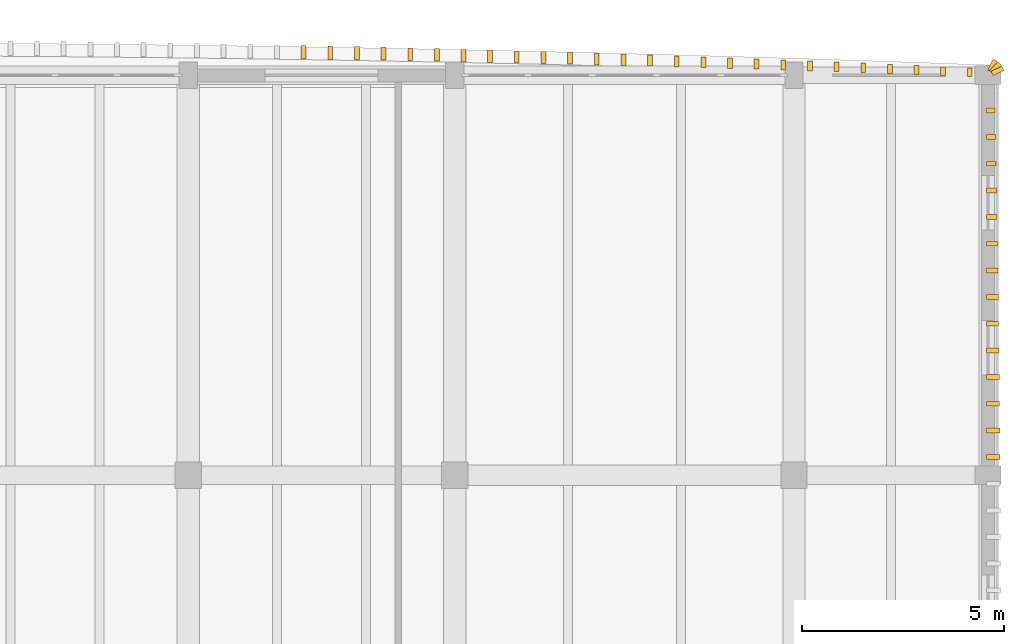
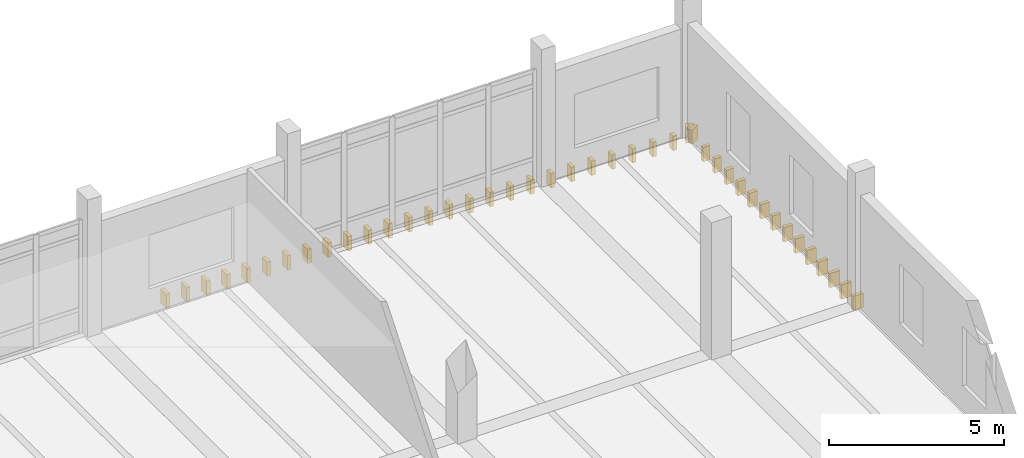
# One storey, part 76 of 76: 43 coverings.
"""IFC4 building model written with IfcOpenShell, lengths in metres."""

import ifcopenshell
import ifcopenshell.guid

model = None  # the IFC model being written
_history = None  # IfcOwnerHistory: only IFC2X3 demands one
_inside = {}  # id of a spatial element -> (the spatial element, [elements in it])
_under = {}  # id of a project, library or spatial element -> (it, [spatial elements below it])
_declared = {}  # id of a project -> (the project, [libraries it declares])
_typed = {}  # id of a type object -> (the type object, [elements of that type])
_made_of = {}  # id of a material, layer set ... -> (it, [elements and type objects made of it])


def new_model(schema):
    """Start an empty IFC model of exactly this schema.

    Asked for "IFC4X3", IfcOpenShell would pick the latest addendum, in which some entities
    have other attributes; the version numbers below select the first issue.
    IFC2X3 requires an IfcOwnerHistory on every rooted entity: one is made here for all.
    """
    global model, _history
    if schema == "IFC4X3":
        model = ifcopenshell.file(schema_version=(4, 3, 0, 0))
    else:
        model = ifcopenshell.file(schema=schema)
    _inside.clear()
    _under.clear()
    _declared.clear()
    _typed.clear()
    _made_of.clear()
    _history = None
    if model.schema == "IFC2X3":
        org = make("IfcOrganization", Name="unknown")
        user = make(
            "IfcPersonAndOrganization",
            ThePerson=make("IfcPerson", FamilyName="unknown"),
            TheOrganization=org,
        )
        app = make(
            "IfcApplication",
            ApplicationDeveloper=org,
            Version="unknown",
            ApplicationFullName="unknown",
            ApplicationIdentifier="unknown",
        )
        _history = make(
            "IfcOwnerHistory",
            OwningUser=user,
            OwningApplication=app,
            ChangeAction="ADDED",
            CreationDate=0,
        )
    return model


def make(cls, **values):
    """One entity of the class cls with the attributes given. An attribute that is None is left unset."""
    return model.create_entity(
        cls, **{name: value for name, value in values.items() if value is not None}
    )


def rooted(cls, **values):
    """An entity with a GlobalId (a new one), such as an element, a storey or a relation."""
    return make(cls, GlobalId=ifcopenshell.guid.new(), OwnerHistory=_history, **values)


def si_unit(unit_type, name, prefix=None):
    """IfcSIUnit, for example si_unit("LENGTHUNIT", "METRE", prefix="MILLI")."""
    return make("IfcSIUnit", UnitType=unit_type, Prefix=prefix, Name=name)


def assignment(units):
    """IfcUnitAssignment: the units of a project."""
    return None if units is None else make("IfcUnitAssignment", Units=units)


def point(xyz):
    """IfcCartesianPoint."""
    return None if xyz is None else make("IfcCartesianPoint", Coordinates=xyz)


def direction(xyz):
    """IfcDirection."""
    return None if xyz is None else make("IfcDirection", DirectionRatios=xyz)


def frame(location, z_axis=None, x_axis=None):
    """IfcAxis2Placement3D, a coordinate frame: its origin and axes. An axis left out is left unset."""
    return make(
        "IfcAxis2Placement3D",
        Location=point(location),
        Axis=direction(z_axis),
        RefDirection=direction(x_axis),
    )


def frame_2d(location, x_axis=None):
    """IfcAxis2Placement2D, a coordinate frame in the plane: its origin and x axis."""
    return make(
        "IfcAxis2Placement2D", Location=point(location), RefDirection=direction(x_axis)
    )


def origin():
    """The frame at (0, 0, 0) with its axes left unset."""
    return frame((0.0, 0.0, 0.0))


def origin_2d():
    """The frame at (0, 0) in the plane with its x axis left unset."""
    return frame_2d((0.0, 0.0))


def place(relative_to, where):
    """IfcLocalPlacement: puts the frame where relative to a parent placement (None: the world)."""
    return make(
        "IfcLocalPlacement", PlacementRelTo=relative_to, RelativePlacement=where
    )


def context(
    kind, dimensions, precision=None, world=None, true_north=None, identifier=None
):
    """IfcGeometricRepresentationContext, for example the 3D "Model" context."""
    return make(
        "IfcGeometricRepresentationContext",
        ContextIdentifier=identifier,
        ContextType=kind,
        CoordinateSpaceDimension=dimensions,
        Precision=precision,
        WorldCoordinateSystem=world,
        TrueNorth=true_north,
    )


def subcontext(parent, identifier, kind, view, scale=None):
    """IfcGeometricRepresentationSubContext, for example "Body" below "Model"."""
    return make(
        "IfcGeometricRepresentationSubContext",
        ContextIdentifier=identifier,
        ContextType=kind,
        ParentContext=parent,
        TargetScale=scale,
        TargetView=view,
    )


def project(units=None, contexts=None):
    """IfcProject with its units and contexts."""
    return rooted(
        "IfcProject",
        Name="project",
        RepresentationContexts=contexts,
        UnitsInContext=assignment(units),
    )


def spatial(cls, under=None, at=None, **own):
    """A site, building, storey or space (cls), placed at a placement, below another one or the project."""
    s = rooted(cls, ObjectPlacement=at, **own)
    if under is not None:
        _under.setdefault(under.id(), (under, []))[1].append(s)
    return s


def profile(cls, at=None, kind="AREA", **sizes):
    """A parametric profile (cls). Its sizes go by their IFC names, for example OverallWidth=200.0."""
    return make(cls, ProfileType=kind, Position=at, **sizes)


def rectangle(**sizes):
    """IfcRectangleProfileDef."""
    return profile("IfcRectangleProfileDef", **sizes)


def extrude(swept, where, along, depth):
    """IfcExtrudedAreaSolid: the profile swept, set in the frame where, extruded along a direction by depth."""
    return make(
        "IfcExtrudedAreaSolid",
        SweptArea=swept,
        Position=where,
        ExtrudedDirection=direction(along),
        Depth=depth,
    )


def shape(context_of_items, identifier, shape_type, items):
    """IfcShapeRepresentation: the items that make up one representation, for example the "Body"."""
    return make(
        "IfcShapeRepresentation",
        ContextOfItems=context_of_items,
        RepresentationIdentifier=identifier,
        RepresentationType=shape_type,
        Items=items,
    )


def material(Name=None, Category=None):
    """IfcMaterial."""
    return make("IfcMaterial", Name=Name, Category=Category)


def layer(
    of_material, thickness, ventilated=None, Name=None, Category=None, Priority=None
):
    """IfcMaterialLayer: one layer of a wall or slab, of a material (None: an air gap)."""
    return make(
        "IfcMaterialLayer",
        Material=of_material,
        LayerThickness=thickness,
        IsVentilated=ventilated,
        Name=Name,
        Category=Category,
        Priority=Priority,
    )


def layer_set(layers, Name=None):
    """IfcMaterialLayerSet."""
    return make("IfcMaterialLayerSet", MaterialLayers=layers, LayerSetName=Name)


def made_of(thing, what):
    """Note that an element or type object is made of a material, layer set ...; save() writes the relation."""
    if what is not None:
        _made_of.setdefault(what.id(), (what, []))[1].append(thing)
    return thing


def type_object(cls, material=None, **own):
    """A type object (cls), such as IfcWallType, which elements share."""
    return made_of(rooted(cls, **own), material)


def element(
    cls,
    number,
    at=None,
    inside=None,
    cuts=None,
    type_object=None,
    material=None,
    context=None,
    identifier="Body",
    shape_type=None,
    held_by="IfcProductDefinitionShape",
    body=None,
    shapes=None,
    **own,
):
    """One element of the class cls, such as IfcWall. Its Tag is "e" and its number.

    at: its placement. inside: the storey or other place that contains it. cuts: it is an
    opening in that element (IfcRelVoidsElement). A single representation is given by context,
    identifier, shape_type and body (its items); several are given by shapes. held_by: the class
    of the entity that holds the representations. save() writes the other relations.
    """
    e = rooted(cls, Tag="e%d" % number, ObjectPlacement=at, **own)
    if body is not None:
        shapes = [shape(context, identifier, shape_type, body)]
    if shapes is not None:
        e.Representation = make(held_by, Representations=shapes)
    if inside is not None:
        _inside.setdefault(inside.id(), (inside, []))[1].append(e)
    if cuts is not None:
        rooted(
            "IfcRelVoidsElement", RelatingBuildingElement=cuts, RelatedOpeningElement=e
        )
    if type_object is not None:
        _typed.setdefault(type_object.id(), (type_object, []))[1].append(e)
    return made_of(e, material)


def aggregate(whole, parts):
    """IfcRelAggregates: a whole, such as a stair, and the parts it consists of."""
    return rooted("IfcRelAggregates", RelatingObject=whole, RelatedObjects=parts)


def save(model, path):
    """Write the relations noted so far, then the file.

    IfcRelAggregates (storeys below a building ...), IfcRelContainedInSpatialStructure (elements
    in a storey), IfcRelDefinesByType, IfcRelAssociatesMaterial and IfcRelDeclares: one each for
    every whole, place, type object, material and project.
    """
    for whole, parts in _under.values():
        aggregate(whole, parts)
    for where, things in _inside.values():
        rooted(
            "IfcRelContainedInSpatialStructure",
            RelatedElements=things,
            RelatingStructure=where,
        )
    for kind, things in _typed.values():
        rooted("IfcRelDefinesByType", RelatedObjects=things, RelatingType=kind)
    for what, things in _made_of.values():
        rooted("IfcRelAssociatesMaterial", RelatedObjects=things, RelatingMaterial=what)
    for by, libraries in _declared.values():
        rooted("IfcRelDeclares", RelatingContext=by, RelatedDefinitions=libraries)
    model.write(path)


model = new_model("IFC4")

# Units and contexts
model_context = context("Model", 3, precision=1e-05, world=origin(), true_north=direction((0.0, 1.0)))
body_context = subcontext(model_context, "Body", "Model", "MODEL_VIEW")
ifc_project = project(units=[si_unit("LENGTHUNIT", "METRE"), si_unit("AREAUNIT", "SQUARE_METRE"), si_unit("VOLUMEUNIT", "CUBIC_METRE"), si_unit("PLANEANGLEUNIT", "RADIAN"), si_unit("MASSUNIT", "GRAM", prefix="KILO")], contexts=[model_context])

# Site, building, storey
site_placement = place(None, origin())
site = spatial("IfcSite", under=ifc_project, at=site_placement, CompositionType="ELEMENT")
building_placement = place(site_placement, origin())
building = spatial("IfcBuilding", under=site, at=building_placement, Name="Dornvale Research Institute", CompositionType="ELEMENT")
storey_placement = place(building_placement, frame((0.0, 0.0, 15.0)))
storey = spatial("IfcBuildingStorey", under=building, at=storey_placement, Name="L03", CompositionType="ELEMENT", Elevation=15.0)

# Coverings
ifc_material = material(Name="Polychrome Glazed Terracotta Visor Rib Ceramic", Category="masonry")
ifc_layer = layer(ifc_material, 0.1201171875)
ifc_layer_set = layer_set([ifc_layer], Name="Polychrome Glazed Terracotta Visor Rib Ceramic")
covering_type = type_object("IfcCoveringType", Name="Covering_VisorBlade_Low", PredefinedType="CLADDING", material=ifc_layer_set)
covering_1_placement = place(storey_placement, frame((177.750244140625, 122.1787109375, -0.489990234375), z_axis=(0.0, 0.0, 1.0), x_axis=(0.0, 1.0, 0.0)))
element("IfcCovering", 1, at=covering_1_placement, inside=storey, type_object=covering_type, Name="L03 V4 canted glazed terracotta visor blade #2344", PredefinedType="CLADDING", context=body_context, shape_type="SweptSolid", body=[
    extrude(rectangle(XDim=0.205078125, YDim=0.1201171875, at=origin_2d()), origin(), (0.0, 0.0, 1.0), 0.5),
])
covering_2_placement = place(storey_placement, frame((177.0908203125, 122.205810546875, -0.489990234375), z_axis=(0.0, 0.0, 1.0), x_axis=(0.0, 1.0, 0.0)))
element("IfcCovering", 2, at=covering_2_placement, inside=storey, type_object=covering_type, Name="L03 V4 canted glazed terracotta visor blade #2345", PredefinedType="CLADDING", context=body_context, shape_type="SweptSolid", body=[
    extrude(rectangle(XDim=0.2119140625, YDim=0.1201171875, at=origin_2d()), origin(), (0.0, 0.0, 1.0), 0.5),
])
covering_3_placement = place(storey_placement, frame((176.43115234375, 122.232421875, -0.489990234375), z_axis=(0.0, 0.0, 1.0), x_axis=(0.0, 1.0, 0.0)))
element("IfcCovering", 3, at=covering_3_placement, inside=storey, type_object=covering_type, Name="L03 V4 canted glazed terracotta visor blade #2346", PredefinedType="CLADDING", context=body_context, shape_type="SweptSolid", body=[
    extrude(rectangle(XDim=0.218017578125, YDim=0.1201171875, at=origin_2d()), origin(), (0.0, 0.0, 1.0), 0.5),
])
covering_4_placement = place(storey_placement, frame((175.771484375, 122.25830078125, -0.489990234375), z_axis=(0.0, 0.0, 1.0), x_axis=(0.0, 1.0, 0.0)))
element("IfcCovering", 4, at=covering_4_placement, inside=storey, type_object=covering_type, Name="L03 V4 canted glazed terracotta visor blade #2347", PredefinedType="CLADDING", context=body_context, shape_type="SweptSolid", body=[
    extrude(rectangle(XDim=0.22509765625, YDim=0.1201171875, at=origin_2d()), origin(), (0.0, 0.0, 1.0), 0.5),
])
covering_5_placement = place(storey_placement, frame((175.11181640625, 122.2841796875, -0.489990234375), z_axis=(0.0, 0.0, 1.0), x_axis=(0.0, 1.0, 0.0)))
element("IfcCovering", 5, at=covering_5_placement, inside=storey, type_object=covering_type, Name="L03 V4 canted glazed terracotta visor blade #2348", PredefinedType="CLADDING", context=body_context, shape_type="SweptSolid", body=[
    extrude(rectangle(XDim=0.23193359375, YDim=0.1201171875, at=origin_2d()), origin(), (0.0, 0.0, 1.0), 0.5),
])
covering_6_placement = place(storey_placement, frame((174.4521484375, 122.30859375, -0.489990234375), z_axis=(0.0, 0.0, 1.0), x_axis=(0.0, 1.0, 0.0)))
element("IfcCovering", 6, at=covering_6_placement, inside=storey, type_object=covering_type, Name="L03 V4 canted glazed terracotta visor blade #2349", PredefinedType="CLADDING", context=body_context, shape_type="SweptSolid", body=[
    extrude(rectangle(XDim=0.238037109375, YDim=0.1201171875, at=origin_2d()), origin(), (0.0, 0.0, 1.0), 0.5),
])
covering_7_placement = place(storey_placement, frame((173.79248046875, 122.332763671875, -0.489990234375), z_axis=(0.0, 0.0, 1.0), x_axis=(0.0, 1.0, 0.0)))
element("IfcCovering", 7, at=covering_7_placement, inside=storey, type_object=covering_type, Name="L03 V4 canted glazed terracotta visor blade #2350", PredefinedType="CLADDING", context=body_context, shape_type="SweptSolid", body=[
    extrude(rectangle(XDim=0.243896484375, YDim=0.1201171875, at=origin_2d()), origin(), (0.0, 0.0, 1.0), 0.5),
])
covering_8_placement = place(storey_placement, frame((173.1328125, 122.356689453125, -0.489990234375), z_axis=(0.0, 0.0, 1.0), x_axis=(0.0, 1.0, 0.0)))
element("IfcCovering", 8, at=covering_8_placement, inside=storey, type_object=covering_type, Name="L03 V4 canted glazed terracotta visor blade #2351", PredefinedType="CLADDING", context=body_context, shape_type="SweptSolid", body=[
    extrude(rectangle(XDim=0.25, YDim=0.1201171875, at=origin_2d()), origin(), (0.0, 0.0, 1.0), 0.5),
])
covering_9_placement = place(storey_placement, frame((172.47314453125, 122.37939453125, -0.489990234375), z_axis=(0.0, 0.0, 1.0), x_axis=(0.0, 1.0, 0.0)))
element("IfcCovering", 9, at=covering_9_placement, inside=storey, type_object=covering_type, Name="L03 V4 canted glazed terracotta visor blade #2352", PredefinedType="CLADDING", context=body_context, shape_type="SweptSolid", body=[
    extrude(rectangle(XDim=0.256103515625, YDim=0.1201171875, at=origin_2d()), origin(), (0.0, 0.0, 1.0), 0.5),
])
covering_10_placement = place(storey_placement, frame((171.8134765625, 122.4013671875, -0.489990234375), z_axis=(0.0, 0.0, 1.0), x_axis=(0.0, 1.0, 0.0)))
element("IfcCovering", 10, at=covering_10_placement, inside=storey, type_object=covering_type, Name="L03 V4 canted glazed terracotta visor blade #2353", PredefinedType="CLADDING", context=body_context, shape_type="SweptSolid", body=[
    extrude(rectangle(XDim=0.260986328125, YDim=0.1201171875, at=origin_2d()), origin(), (0.0, 0.0, 1.0), 0.5),
])
covering_11_placement = place(storey_placement, frame((171.15380859375, 122.423095703125, -0.489990234375), z_axis=(0.0, 0.0, 1.0), x_axis=(0.0, 1.0, 0.0)))
element("IfcCovering", 11, at=covering_11_placement, inside=storey, type_object=covering_type, Name="L03 V4 canted glazed terracotta visor blade #2354", PredefinedType="CLADDING", context=body_context, shape_type="SweptSolid", body=[
    extrude(rectangle(XDim=0.26708984375, YDim=0.1201171875, at=origin_2d()), origin(), (0.0, 0.0, 1.0), 0.5),
])
covering_12_placement = place(storey_placement, frame((170.493896484375, 122.444091796875, -0.489990234375), z_axis=(0.0, 0.0, 1.0), x_axis=(0.0, 1.0, 0.0)))
element("IfcCovering", 12, at=covering_12_placement, inside=storey, type_object=covering_type, Name="L03 V4 canted glazed terracotta visor blade #2355", PredefinedType="CLADDING", context=body_context, shape_type="SweptSolid", body=[
    extrude(rectangle(XDim=0.27197265625, YDim=0.1201171875, at=origin_2d()), origin(), (0.0, 0.0, 1.0), 0.5),
])
covering_13_placement = place(storey_placement, frame((169.834228515625, 122.464599609375, -0.489990234375), z_axis=(0.0, 0.0, 1.0), x_axis=(0.0, 1.0, 0.0)))
element("IfcCovering", 13, at=covering_13_placement, inside=storey, type_object=covering_type, Name="L03 V4 canted glazed terracotta visor blade #2356", PredefinedType="CLADDING", context=body_context, shape_type="SweptSolid", body=[
    extrude(rectangle(XDim=0.277099609375, YDim=0.1201171875, at=origin_2d()), origin(), (0.0, 0.0, 1.0), 0.5),
])
covering_14_placement = place(storey_placement, frame((169.174560546875, 122.484130859375, -0.489990234375), z_axis=(0.0, 0.0, 1.0), x_axis=(0.0, 1.0, 0.0)))
element("IfcCovering", 14, at=covering_14_placement, inside=storey, type_object=covering_type, Name="L03 V4 canted glazed terracotta visor blade #2357", PredefinedType="CLADDING", context=body_context, shape_type="SweptSolid", body=[
    extrude(rectangle(XDim=0.281982421875, YDim=0.1201171875, at=origin_2d()), origin(), (0.0, 0.0, 1.0), 0.5),
])
covering_15_placement = place(storey_placement, frame((168.5146484375, 122.503662109375, -0.489990234375), z_axis=(0.0, 0.0, 1.0), x_axis=(0.0, 1.0, 0.0)))
element("IfcCovering", 15, at=covering_15_placement, inside=storey, type_object=covering_type, Name="L03 V4 canted glazed terracotta visor blade #2358", PredefinedType="CLADDING", context=body_context, shape_type="SweptSolid", body=[
    extrude(rectangle(XDim=0.287109375, YDim=0.1201171875, at=origin_2d()), origin(), (0.0, 0.0, 1.0), 0.5),
])
covering_16_placement = place(storey_placement, frame((167.85498046875, 122.522216796875, -0.489990234375), z_axis=(0.0, 0.0, 1.0), x_axis=(0.0, 1.0, 0.0)))
element("IfcCovering", 16, at=covering_16_placement, inside=storey, type_object=covering_type, Name="L03 V4 canted glazed terracotta visor blade #2359", PredefinedType="CLADDING", context=body_context, shape_type="SweptSolid", body=[
    extrude(rectangle(XDim=0.2919921875, YDim=0.1201171875, at=origin_2d()), origin(), (0.0, 0.0, 1.0), 0.5),
])
covering_17_placement = place(storey_placement, frame((167.195068359375, 122.540283203125, -0.489990234375), z_axis=(0.0, 0.0, 1.0), x_axis=(0.0, 1.0, 0.0)))
element("IfcCovering", 17, at=covering_17_placement, inside=storey, type_object=covering_type, Name="L03 V4 canted glazed terracotta visor blade #2360", PredefinedType="CLADDING", context=body_context, shape_type="SweptSolid", body=[
    extrude(rectangle(XDim=0.297119140625, YDim=0.1201171875, at=origin_2d()), origin(), (0.0, 0.0, 1.0), 0.5),
])
covering_18_placement = place(storey_placement, frame((166.535400390625, 122.5576171875, -0.489990234375), z_axis=(0.0, 0.0, 1.0), x_axis=(0.0, 1.0, 0.0)))
element("IfcCovering", 18, at=covering_18_placement, inside=storey, type_object=covering_type, Name="L03 V4 canted glazed terracotta visor blade #2361", PredefinedType="CLADDING", context=body_context, shape_type="SweptSolid", body=[
    extrude(rectangle(XDim=0.301025390625, YDim=0.1201171875, at=origin_2d()), origin(), (0.0, 0.0, 1.0), 0.5),
])
covering_19_placement = place(storey_placement, frame((165.87548828125, 122.57373046875, -0.489990234375), z_axis=(0.0, 0.0, 1.0), x_axis=(0.0, 1.0, 0.0)))
element("IfcCovering", 19, at=covering_19_placement, inside=storey, type_object=covering_type, Name="L03 V4 canted glazed terracotta visor blade #2362", PredefinedType="CLADDING", context=body_context, shape_type="SweptSolid", body=[
    extrude(rectangle(XDim=0.304931640625, YDim=0.1201171875, at=origin_2d()), origin(), (0.0, 0.0, 1.0), 0.5),
])
covering_20_placement = place(storey_placement, frame((165.215576171875, 122.590087890625, -0.489990234375), z_axis=(0.0, 0.0, 1.0), x_axis=(0.0, 1.0, 0.0)))
element("IfcCovering", 20, at=covering_20_placement, inside=storey, type_object=covering_type, Name="L03 V4 canted glazed terracotta visor blade #2363", PredefinedType="CLADDING", context=body_context, shape_type="SweptSolid", body=[
    extrude(rectangle(XDim=0.30908203125, YDim=0.1201171875, at=origin_2d()), origin(), (0.0, 0.0, 1.0), 0.5),
])
covering_21_placement = place(storey_placement, frame((164.5556640625, 122.60546875, -0.489990234375), z_axis=(0.0, 0.0, 1.0), x_axis=(0.0, 1.0, 0.0)))
element("IfcCovering", 21, at=covering_21_placement, inside=storey, type_object=covering_type, Name="L03 V4 canted glazed terracotta visor blade #2364", PredefinedType="CLADDING", context=body_context, shape_type="SweptSolid", body=[
    extrude(rectangle(XDim=0.31298828125, YDim=0.1201171875, at=origin_2d()), origin(), (0.0, 0.0, 1.0), 0.5),
])
covering_22_placement = place(storey_placement, frame((163.895751953125, 122.620361328125, -0.489990234375), z_axis=(0.0, 0.0, 1.0), x_axis=(0.0, 1.0, 0.0)))
element("IfcCovering", 22, at=covering_22_placement, inside=storey, type_object=covering_type, Name="L03 V4 canted glazed terracotta visor blade #2365", PredefinedType="CLADDING", context=body_context, shape_type="SweptSolid", body=[
    extrude(rectangle(XDim=0.31689453125, YDim=0.1201171875, at=origin_2d()), origin(), (0.0, 0.0, 1.0), 0.5),
])
covering_23_placement = place(storey_placement, frame((163.236083984375, 122.635009765625, -0.489990234375), z_axis=(0.0, 0.0, 1.0), x_axis=(0.0, 1.0, 0.0)))
element("IfcCovering", 23, at=covering_23_placement, inside=storey, type_object=covering_type, Name="L03 V4 canted glazed terracotta visor blade #2366", PredefinedType="CLADDING", context=body_context, shape_type="SweptSolid", body=[
    extrude(rectangle(XDim=0.321044921875, YDim=0.1201171875, at=origin_2d()), origin(), (0.0, 0.0, 1.0), 0.5),
])
covering_24_placement = place(storey_placement, frame((162.576171875, 122.648193359375, -0.489990234375), z_axis=(0.0, 0.0, 1.0), x_axis=(0.0, 1.0, 0.0)))
element("IfcCovering", 24, at=covering_24_placement, inside=storey, type_object=covering_type, Name="L03 V4 canted glazed terracotta visor blade #2367", PredefinedType="CLADDING", context=body_context, shape_type="SweptSolid", body=[
    extrude(rectangle(XDim=0.323974609375, YDim=0.1201171875, at=origin_2d()), origin(), (0.0, 0.0, 1.0), 0.5),
])
covering_25_placement = place(storey_placement, frame((161.916259765625, 122.6611328125, -0.489990234375), z_axis=(0.0, 0.0, 1.0), x_axis=(0.0, 1.0, 0.0)))
element("IfcCovering", 25, at=covering_25_placement, inside=storey, type_object=covering_type, Name="L03 V4 canted glazed terracotta visor blade #2368", PredefinedType="CLADDING", context=body_context, shape_type="SweptSolid", body=[
    extrude(rectangle(XDim=0.326904296875, YDim=0.1201171875, at=origin_2d()), origin(), (0.0, 0.0, 1.0), 0.5),
])
covering_26_placement = place(storey_placement, frame((161.256103515625, 122.673095703125, -0.489990234375), z_axis=(0.0, 0.0, 1.0), x_axis=(0.0, 1.0, 0.0)))
element("IfcCovering", 26, at=covering_26_placement, inside=storey, type_object=covering_type, Name="L03 V4 canted glazed terracotta visor blade #2369", PredefinedType="CLADDING", context=body_context, shape_type="SweptSolid", body=[
    extrude(rectangle(XDim=0.330078125, YDim=0.1201171875, at=origin_2d()), origin(), (0.0, 0.0, 1.0), 0.5),
])
covering_27_placement = place(storey_placement, frame((178.32958984375, 112.64990234375, -0.489990234375), z_axis=(0.0, 0.0, 1.0), x_axis=(1.0, 0.0, 0.0)))
element("IfcCovering", 27, at=covering_27_placement, inside=storey, type_object=covering_type, Name="L03 V4 canted glazed terracotta visor blade #2463", PredefinedType="CLADDING", context=body_context, shape_type="SweptSolid", body=[
    extrude(rectangle(XDim=0.339111328125, YDim=0.1201171875, at=origin_2d()), origin(), (0.0, 0.0, 1.0), 0.5),
])
covering_28_placement = place(storey_placement, frame((178.326416015625, 113.31005859375, -0.489990234375), z_axis=(0.0, 0.0, 1.0), x_axis=(1.0, 0.0, 0.0)))
element("IfcCovering", 28, at=covering_28_placement, inside=storey, type_object=covering_type, Name="L03 V4 canted glazed terracotta visor blade #2464", PredefinedType="CLADDING", context=body_context, shape_type="SweptSolid", body=[
    extrude(rectangle(XDim=0.3330078125, YDim=0.1201171875, at=origin_2d()), origin(), (0.0, 0.0, 1.0), 0.5),
])
covering_29_placement = place(storey_placement, frame((178.323486328125, 113.969970703125, -0.489990234375), z_axis=(0.0, 0.0, 1.0), x_axis=(1.0, 0.0, 0.0)))
element("IfcCovering", 29, at=covering_29_placement, inside=storey, type_object=covering_type, Name="L03 V4 canted glazed terracotta visor blade #2465", PredefinedType="CLADDING", context=body_context, shape_type="SweptSolid", body=[
    extrude(rectangle(XDim=0.326904296875, YDim=0.1201171875, at=origin_2d()), origin(), (0.0, 0.0, 1.0), 0.5),
])
covering_30_placement = place(storey_placement, frame((178.320068359375, 114.6298828125, -0.489990234375), z_axis=(0.0, 0.0, 1.0), x_axis=(1.0, 0.0, 0.0)))
element("IfcCovering", 30, at=covering_30_placement, inside=storey, type_object=covering_type, Name="L03 V4 canted glazed terracotta visor blade #2466", PredefinedType="CLADDING", context=body_context, shape_type="SweptSolid", body=[
    extrude(rectangle(XDim=0.320068359375, YDim=0.1201171875, at=origin_2d()), origin(), (0.0, 0.0, 1.0), 0.5),
])
covering_31_placement = place(storey_placement, frame((178.31640625, 115.2900390625, -0.489990234375), z_axis=(0.0, 0.0, 1.0), x_axis=(1.0, 0.0, 0.0)))
element("IfcCovering", 31, at=covering_31_placement, inside=storey, type_object=covering_type, Name="L03 V4 canted glazed terracotta visor blade #2467", PredefinedType="CLADDING", context=body_context, shape_type="SweptSolid", body=[
    extrude(rectangle(XDim=0.31298828125, YDim=0.1201171875, at=origin_2d()), origin(), (0.0, 0.0, 1.0), 0.5),
])
covering_32_placement = place(storey_placement, frame((178.3125, 115.949951171875, -0.489990234375), z_axis=(0.0, 0.0, 1.0), x_axis=(1.0, 0.0, 0.0)))
element("IfcCovering", 32, at=covering_32_placement, inside=storey, type_object=covering_type, Name="L03 V4 canted glazed terracotta visor blade #2468", PredefinedType="CLADDING", context=body_context, shape_type="SweptSolid", body=[
    extrude(rectangle(XDim=0.304931640625, YDim=0.1201171875, at=origin_2d()), origin(), (0.0, 0.0, 1.0), 0.5),
])
covering_33_placement = place(storey_placement, frame((178.30810546875, 116.610107421875, -0.489990234375), z_axis=(0.0, 0.0, 1.0), x_axis=(1.0, 0.0, 0.0)))
element("IfcCovering", 33, at=covering_33_placement, inside=storey, type_object=covering_type, Name="L03 V4 canted glazed terracotta visor blade #2469", PredefinedType="CLADDING", context=body_context, shape_type="SweptSolid", body=[
    extrude(rectangle(XDim=0.2958984375, YDim=0.1201171875, at=origin_2d()), origin(), (0.0, 0.0, 1.0), 0.5),
])
covering_34_placement = place(storey_placement, frame((178.303466796875, 117.27001953125, -0.489990234375), z_axis=(0.0, 0.0, 1.0), x_axis=(1.0, 0.0, 0.0)))
element("IfcCovering", 34, at=covering_34_placement, inside=storey, type_object=covering_type, Name="L03 V4 canted glazed terracotta visor blade #2470", PredefinedType="CLADDING", context=body_context, shape_type="SweptSolid", body=[
    extrude(rectangle(XDim=0.287109375, YDim=0.1201171875, at=origin_2d()), origin(), (0.0, 0.0, 1.0), 0.5),
])
covering_35_placement = place(storey_placement, frame((178.298583984375, 117.929931640625, -0.489990234375), z_axis=(0.0, 0.0, 1.0), x_axis=(1.0, 0.0, 0.0)))
element("IfcCovering", 35, at=covering_35_placement, inside=storey, type_object=covering_type, Name="L03 V4 canted glazed terracotta visor blade #2471", PredefinedType="CLADDING", context=body_context, shape_type="SweptSolid", body=[
    extrude(rectangle(XDim=0.277099609375, YDim=0.1201171875, at=origin_2d()), origin(), (0.0, 0.0, 1.0), 0.5),
])
covering_36_placement = place(storey_placement, frame((178.29345703125, 118.590087890625, -0.489990234375), z_axis=(0.0, 0.0, 1.0), x_axis=(1.0, 0.0, 0.0)))
element("IfcCovering", 36, at=covering_36_placement, inside=storey, type_object=covering_type, Name="L03 V4 canted glazed terracotta visor blade #2472", PredefinedType="CLADDING", context=body_context, shape_type="SweptSolid", body=[
    extrude(rectangle(XDim=0.26708984375, YDim=0.1201171875, at=origin_2d()), origin(), (0.0, 0.0, 1.0), 0.5),
])
covering_37_placement = place(storey_placement, frame((178.2880859375, 119.25, -0.489990234375), z_axis=(0.0, 0.0, 1.0), x_axis=(1.0, 0.0, 0.0)))
element("IfcCovering", 37, at=covering_37_placement, inside=storey, type_object=covering_type, Name="L03 V4 canted glazed terracotta visor blade #2473", PredefinedType="CLADDING", context=body_context, shape_type="SweptSolid", body=[
    extrude(rectangle(XDim=0.256103515625, YDim=0.1201171875, at=origin_2d()), origin(), (0.0, 0.0, 1.0), 0.5),
])
covering_38_placement = place(storey_placement, frame((178.281982421875, 119.909912109375, -0.489990234375), z_axis=(0.0, 0.0, 1.0), x_axis=(1.0, 0.0, 0.0)))
element("IfcCovering", 38, at=covering_38_placement, inside=storey, type_object=covering_type, Name="L03 V4 canted glazed terracotta visor blade #2474", PredefinedType="CLADDING", context=body_context, shape_type="SweptSolid", body=[
    extrude(rectangle(XDim=0.243896484375, YDim=0.1201171875, at=origin_2d()), origin(), (0.0, 0.0, 1.0), 0.5),
])
covering_39_placement = place(storey_placement, frame((178.275390625, 120.570068359375, -0.489990234375), z_axis=(0.0, 0.0, 1.0), x_axis=(1.0, 0.0, 0.0)))
element("IfcCovering", 39, at=covering_39_placement, inside=storey, type_object=covering_type, Name="L03 V4 canted glazed terracotta visor blade #2475", PredefinedType="CLADDING", context=body_context, shape_type="SweptSolid", body=[
    extrude(rectangle(XDim=0.23095703125, YDim=0.1201171875, at=origin_2d()), origin(), (0.0, 0.0, 1.0), 0.5),
])
covering_40_placement = place(storey_placement, frame((178.26904296875, 121.22998046875, -0.489990234375), z_axis=(0.0, 0.0, 1.0), x_axis=(1.0, 0.0, 0.0)))
element("IfcCovering", 40, at=covering_40_placement, inside=storey, type_object=covering_type, Name="L03 V4 canted glazed terracotta visor blade #2476", PredefinedType="CLADDING", context=body_context, shape_type="SweptSolid", body=[
    extrude(rectangle(XDim=0.218017578125, YDim=0.1201171875, at=origin_2d()), origin(), (0.0, 0.0, 1.0), 0.5),
])
for number, where, z_axis, x_axis, name in (
    (41, (178.435546875, 122.2099609375, -0.489990234375), (0.0, 0.0, 1.0), (0.906307787037, 0.422618261741, 0.0), "L03 V4 corner-wrapping visor blade #2527"),
    (42, (178.3837890625, 122.28369140625, -0.489990234375), (0.0, 0.0, 1.0), (0.707106781187, 0.707106781187, 0.0), "L03 V4 corner-wrapping visor blade #2528"),
    (43, (178.309814453125, 122.335693359375, -0.489990234375), (0.0, 0.0, 1.0), (0.422618261741, 0.906307787037, 0.0), "L03 V4 corner-wrapping visor blade #2529"),
):
    element("IfcCovering", number, at=place(storey_placement, frame(where, z_axis=z_axis, x_axis=x_axis)), inside=storey, type_object=covering_type, Name=name, PredefinedType="CLADDING", context=body_context, shape_type="SweptSolid", body=[
        extrude(rectangle(XDim=0.300048828125, YDim=0.1201171875, at=origin_2d()), origin(), (0.0, 0.0, 1.0), 0.5),
    ])

save(model, "model.ifc")
